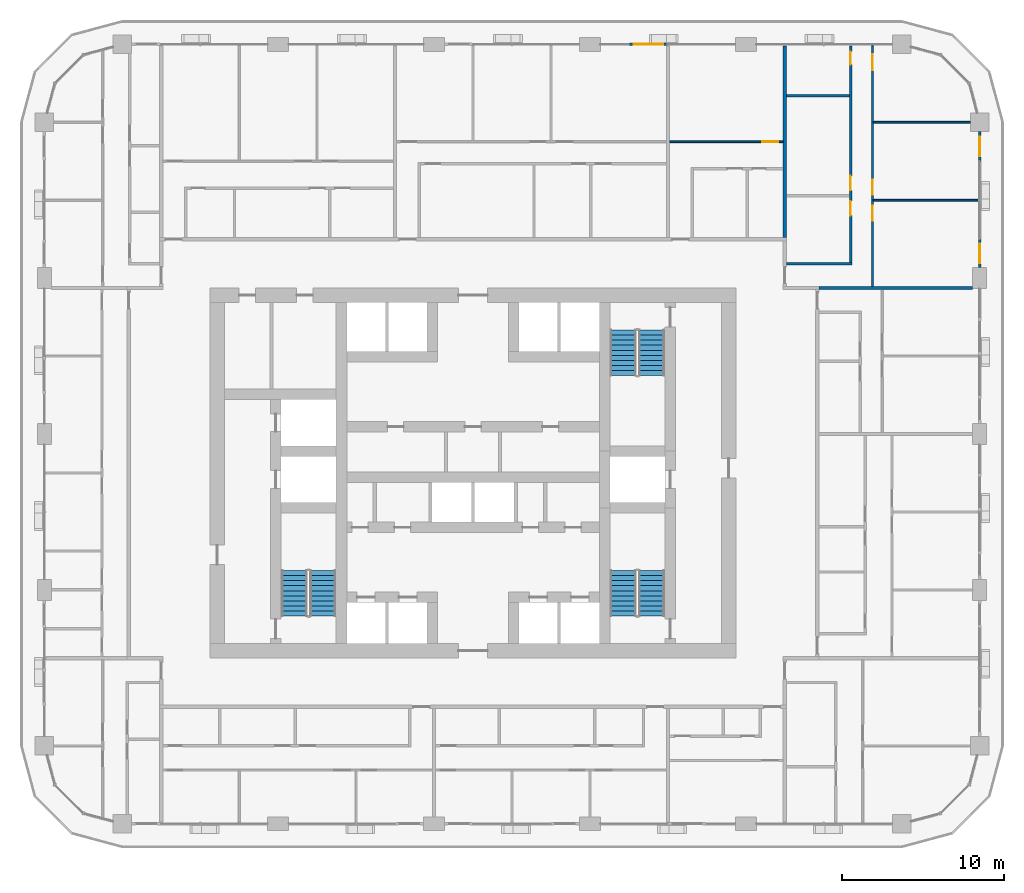
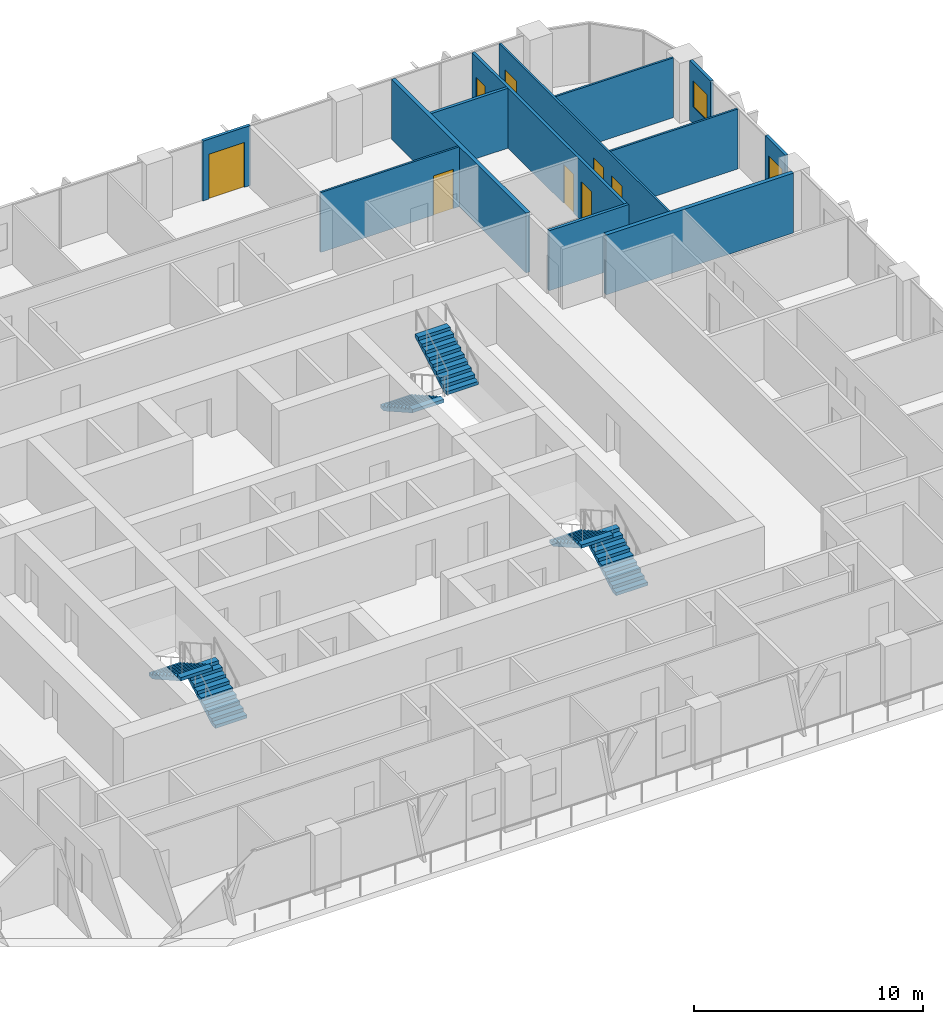
# One storey, part 15 of 21: 12 walls, 8 doors, 6 stair flights, 2 windows, 10 openings, 3 elements without a shape of their own.
"""IFC4 building model written with IfcOpenShell, lengths in metres."""

from ifc_helpers import new_model, si_unit, direction, frame, frame_2d, origin, place, context, subcontext, project, spatial, polyline, rectangle, outline, extrude, material, layer, layer_set, type_object, element, fill, aggregate, save


model = new_model("IFC4")

# Units and contexts
model_context = context("Model", 3, precision=1e-05, world=origin(), true_north=direction((0.0, 1.0)))
body_context = subcontext(model_context, "Body", "Model", "MODEL_VIEW")
ifc_project = project(units=[si_unit("LENGTHUNIT", "METRE"), si_unit("AREAUNIT", "SQUARE_METRE"), si_unit("VOLUMEUNIT", "CUBIC_METRE"), si_unit("PLANEANGLEUNIT", "RADIAN"), si_unit("MASSUNIT", "GRAM", prefix="KILO")], contexts=[model_context])

# Site, building, storey
site_placement = place(None, origin())
site = spatial("IfcSite", under=ifc_project, at=site_placement, CompositionType="ELEMENT")
building_placement = place(site_placement, origin())
building = spatial("IfcBuilding", under=site, at=building_placement, Name="Madar Terraces", CompositionType="ELEMENT")
storey_placement = place(building_placement, frame((0.0, 0.0, 89.199951171875)))
storey = spatial("IfcBuildingStorey", under=building, at=storey_placement, Name="L22", CompositionType="ELEMENT", Elevation=89.199951171875)

# Wall, opening, window
ifc_material_1 = material(Name="Aluminium composite panel, black, over insulated backing", Category="aluminium")
ifc_layer_1 = layer(ifc_material_1, 0.14990234375)
ifc_layer_set_1 = layer_set([ifc_layer_1], Name="Facade bay panel 150")
wall_type_1 = type_object("IfcWallType", Name="Facade bay panel 150", PredefinedType="SOLIDWALL", material=ifc_layer_set_1)
wall_1_placement = place(storey_placement, frame((62.39990234375, 39.050048828125, 0.0), z_axis=(0.0, 0.0, 1.0), x_axis=(0.0, 1.0, 0.0)))
wall_1 = element("IfcWall", 1, at=wall_1_placement, inside=storey, type_object=wall_type_1, Name="Facade bay panel", PredefinedType="SOLIDWALL", context=body_context, shape_type="SweptSolid", body=[
    extrude(rectangle(XDim=1.75, YDim=0.14990234375, at=frame_2d((0.875, 0.0))), origin(), (0.0, 0.0, 1.0), 3.199951171875),
])
opening_1_placement = place(wall_1_placement, frame((0.27490234375, 0.0, 0.89990234375)))
opening_1 = element("IfcOpeningElement", 2, at=opening_1_placement, cuts=wall_1, Name="Opening W1", PredefinedType="OPENING", context=body_context, shape_type="SweptSolid", body=[
    extrude(rectangle(XDim=1.199951171875, YDim=1.39990234375, at=frame_2d((0.60009765625, 0.699951171875))), frame((0.0, 0.0849609375, 0.0), z_axis=(0.0, -1.0, 0.0), x_axis=(1.0, 0.0, 0.0)), (0.0, 0.0, 1.0), 0.169921875),
])
ifc_material_2 = material(Name="Glass, clear, with black aluminium frame", Category="aluminium")
window_type = type_object("IfcWindowType", Name="Vent window 1200 x 1400", PartitioningType="SINGLE_PANEL", PredefinedType="WINDOW", material=ifc_material_2)
window_1_placement = place(opening_1_placement, origin())
window_1 = element("IfcWindow", 3, at=window_1_placement, inside=storey, type_object=window_type, Name="Operable vent window", OverallHeight=1.39990234375, OverallWidth=1.199951171875, PartitioningType="SINGLE_PANEL", PredefinedType="WINDOW", context=body_context, shape_type="SweptSolid", body=[
    extrude(rectangle(XDim=1.199951171875, YDim=1.39990234375, at=frame_2d((0.60009765625, 0.699951171875))), frame((0.0, 0.030029296875, 0.0), z_axis=(0.0, -1.0, 0.0), x_axis=(1.0, 0.0, 0.0)), (0.0, 0.0, 1.0), 0.06005859375),
])
fill(opening_1, window_1)

wall_2_placement = place(storey_placement, frame((62.39990234375, 45.60009765625, 0.0), z_axis=(0.0, 0.0, 1.0), x_axis=(0.0, 1.0, 0.0)))
wall_2 = element("IfcWall", 4, at=wall_2_placement, inside=storey, type_object=wall_type_1, Name="Facade bay panel", PredefinedType="SOLIDWALL", context=body_context, shape_type="SweptSolid", body=[
    extrude(rectangle(XDim=1.824951171875, YDim=0.14990234375, at=frame_2d((0.91259765625, 0.0))), origin(), (0.0, 0.0, 1.0), 3.199951171875),
])
opening_2_placement = place(wall_2_placement, frame((0.3125, 0.0, 0.89990234375)))
opening_2 = element("IfcOpeningElement", 5, at=opening_2_placement, cuts=wall_2, Name="Opening W1", PredefinedType="OPENING", context=body_context, shape_type="SweptSolid", body=[
    extrude(rectangle(XDim=1.199951171875, YDim=1.39990234375, at=frame_2d((0.60009765625, 0.699951171875))), frame((0.0, 0.0849609375, 0.0), z_axis=(0.0, -1.0, 0.0), x_axis=(1.0, 0.0, 0.0)), (0.0, 0.0, 1.0), 0.169921875),
])
window_2_placement = place(opening_2_placement, origin())
window_2 = element("IfcWindow", 6, at=window_2_placement, inside=storey, type_object=window_type, Name="Operable vent window", OverallHeight=1.39990234375, OverallWidth=1.199951171875, PartitioningType="SINGLE_PANEL", PredefinedType="WINDOW", context=body_context, shape_type="SweptSolid", body=[
    extrude(rectangle(XDim=1.199951171875, YDim=1.39990234375, at=frame_2d((0.60009765625, 0.699951171875))), frame((0.0, 0.030029296875, 0.0), z_axis=(0.0, -1.0, 0.0), x_axis=(1.0, 0.0, 0.0)), (0.0, 0.0, 1.0), 0.06005859375),
])
fill(opening_2, window_2)

# Wall, opening, door
wall_3_placement = place(storey_placement, frame((43.199951171875, 52.800048828125, 0.0), z_axis=(0.0, 0.0, 1.0), x_axis=(-1.0, 0.0, 0.0)))
wall_3 = element("IfcWall", 7, at=wall_3_placement, inside=storey, type_object=wall_type_1, Name="Facade bay panel", PredefinedType="SOLIDWALL", context=body_context, shape_type="SweptSolid", body=[
    extrude(rectangle(XDim=2.39990234375, YDim=0.14990234375, at=frame_2d((1.199951171875, 0.0))), origin(), (0.0, 0.0, 1.0), 3.199951171875),
])
opening_3_placement = place(wall_3_placement, frame((0.300048828125, 0.0, 0.0)))
opening_3 = element("IfcOpeningElement", 8, at=opening_3_placement, cuts=wall_3, Name="Opening ED1", PredefinedType="OPENING", context=body_context, shape_type="SweptSolid", body=[
    extrude(rectangle(XDim=1.800048828125, YDim=2.39990234375, at=frame_2d((0.89990234375, 1.199951171875))), frame((0.0, 0.0849609375, 0.0), z_axis=(0.0, -1.0, 0.0), x_axis=(1.0, 0.0, 0.0)), (0.0, 0.0, 1.0), 0.169921875),
])
ifc_material_3 = material(Name="Glass, clear, with black aluminium frame", Category="aluminium")
door_type_1 = type_object("IfcDoorType", Name="Balcony and terrace sliding door 1800 x 2400", OperationType="SLIDING_TO_LEFT", PredefinedType="DOOR", material=ifc_material_3)
door_1_placement = place(opening_3_placement, origin())
door_1 = element("IfcDoor", 9, at=door_1_placement, inside=storey, type_object=door_type_1, Name="Balcony door", OperationType="SLIDING_TO_RIGHT", OverallHeight=2.39990234375, OverallWidth=1.800048828125, PredefinedType="DOOR", context=body_context, shape_type="SweptSolid", body=[
    extrude(rectangle(XDim=1.800048828125, YDim=2.39990234375, at=frame_2d((0.89990234375, 1.199951171875))), frame((0.0, 0.02490234375, 0.0), z_axis=(0.0, -1.0, 0.0), x_axis=(1.0, 0.0, 0.0)), (0.0, 0.0, 1.0), 0.050048828125),
])
fill(opening_3, door_1)

# Walls
ifc_material_4 = material(Name="Gypsum board on steel studs", Category="steel")
ifc_layer_2 = layer(ifc_material_4, 0.10009765625)
ifc_layer_set_2 = layer_set([ifc_layer_2], Name="Flat partition 100")
wall_type_2 = type_object("IfcWallType", Name="Flat partition 100", PredefinedType="PARTITIONING", material=ifc_layer_set_2)
wall_4_placement = place(storey_placement, frame((55.85009765625, 43.199951171875, 0.0), z_axis=(0.0, 0.0, 1.0), x_axis=(1.0, 0.0, 0.0)))
element("IfcWall", 10, at=wall_4_placement, inside=storey, type_object=wall_type_2, Name="Flat partition 100", PredefinedType="PARTITIONING", context=body_context, shape_type="SweptSolid", body=[
    extrude(rectangle(XDim=6.449951171875, YDim=0.10009765625, at=frame_2d((3.22509765625, 0.0))), origin(), (0.0, 0.0, 1.0), 3.199951171875),
])
wall_5_placement = place(storey_placement, frame((55.85009765625, 48.0, 0.0), z_axis=(0.0, 0.0, 1.0), x_axis=(1.0, 0.0, 0.0)))
element("IfcWall", 11, at=wall_5_placement, inside=storey, type_object=wall_type_2, Name="Flat partition 100", PredefinedType="PARTITIONING", context=body_context, shape_type="SweptSolid", body=[
    extrude(rectangle(XDim=5.974853515625, YDim=0.10009765625, at=frame_2d((2.9873046875, 0.0))), origin(), (0.0, 0.0, 1.0), 3.199951171875),
])

# Wall, openings, doors
wall_6_placement = place(storey_placement, frame((55.800048828125, 52.699951171875, 0.0), z_axis=(0.0, 0.0, 1.0), x_axis=(0.0, -1.0, 0.0)))
wall_6 = element("IfcWall", 12, at=wall_6_placement, inside=storey, type_object=wall_type_2, Name="Flat partition 100", PredefinedType="PARTITIONING", context=body_context, shape_type="SweptSolid", body=[
    extrude(rectangle(XDim=14.800048828125, YDim=0.10009765625, at=frame_2d((7.39990234375, 0.0))), origin(), (0.0, 0.0, 1.0), 3.199951171875),
])
opening_4_placement = place(wall_6_placement, frame((9.85009765625, 0.0, 0.0)))
opening_4 = element("IfcOpeningElement", 13, at=opening_4_placement, cuts=wall_6, Name="Opening D2", PredefinedType="OPENING", context=body_context, shape_type="SweptSolid", body=[
    extrude(rectangle(XDim=0.89990234375, YDim=2.10009765625, at=frame_2d((0.449951171875, 1.050048828125))), frame((0.0, 0.06005859375, 0.0), z_axis=(0.0, -1.0, 0.0), x_axis=(1.0, 0.0, 0.0)), (0.0, 0.0, 1.0), 0.1201171875),
])
opening_5_placement = place(wall_6_placement, frame((8.25, 0.0, 0.0)))
opening_5 = element("IfcOpeningElement", 14, at=opening_5_placement, cuts=wall_6, Name="Opening D2", PredefinedType="OPENING", context=body_context, shape_type="SweptSolid", body=[
    extrude(rectangle(XDim=0.89990234375, YDim=2.10009765625, at=frame_2d((0.449951171875, 1.050048828125))), frame((0.0, 0.06005859375, 0.0), z_axis=(0.0, -1.0, 0.0), x_axis=(1.0, 0.0, 0.0)), (0.0, 0.0, 1.0), 0.1201171875),
])
opening_6_placement = place(wall_6_placement, frame((0.5, 0.0, 0.0)))
opening_6 = element("IfcOpeningElement", 15, at=opening_6_placement, cuts=wall_6, Name="Opening D3", PredefinedType="OPENING", context=body_context, shape_type="SweptSolid", body=[
    extrude(rectangle(XDim=1.0, YDim=2.10009765625, at=frame_2d((0.5, 1.050048828125))), frame((0.0, 0.06005859375, 0.0), z_axis=(0.0, -1.0, 0.0), x_axis=(1.0, 0.0, 0.0)), (0.0, 0.0, 1.0), 0.1201171875),
])
ifc_material_5 = material(Name="Timber door leaf", Category="wood")
door_type_2 = type_object("IfcDoorType", Name="Flat living room door 1000", OperationType="NOTDEFINED", PredefinedType="DOOR", material=ifc_material_5)
door_2_placement = place(opening_6_placement, origin())
door_2 = element("IfcDoor", 16, at=door_2_placement, inside=storey, type_object=door_type_2, Name="Flat living room door 1000", OperationType="SINGLE_SWING_LEFT", OverallHeight=2.10009765625, OverallWidth=1.0, PredefinedType="DOOR", context=body_context, shape_type="SweptSolid", body=[
    extrude(rectangle(XDim=1.0, YDim=2.10009765625, at=frame_2d((0.5, 1.050048828125))), frame((0.0, 0.02490234375, 0.0), z_axis=(0.0, -1.0, 0.0), x_axis=(1.0, 0.0, 0.0)), (0.0, 0.0, 1.0), 0.050048828125),
])
fill(opening_6, door_2)
ifc_material_6 = material(Name="Timber door leaf", Category="wood")
door_type_3 = type_object("IfcDoorType", Name="Flat room door 900", OperationType="NOTDEFINED", PredefinedType="DOOR", material=ifc_material_6)
door_3_placement = place(opening_4_placement, origin())
door_3 = element("IfcDoor", 17, at=door_3_placement, inside=storey, type_object=door_type_3, Name="Flat room door 900", OperationType="SINGLE_SWING_LEFT", OverallHeight=2.10009765625, OverallWidth=0.89990234375, PredefinedType="DOOR", context=body_context, shape_type="SweptSolid", body=[
    extrude(rectangle(XDim=0.89990234375, YDim=2.10009765625, at=frame_2d((0.449951171875, 1.050048828125))), frame((0.0, 0.02490234375, 0.0), z_axis=(0.0, -1.0, 0.0), x_axis=(1.0, 0.0, 0.0)), (0.0, 0.0, 1.0), 0.050048828125),
])
fill(opening_4, door_3)
door_4_placement = place(opening_5_placement, origin())
door_4 = element("IfcDoor", 18, at=door_4_placement, inside=storey, type_object=door_type_3, Name="Flat room door 900", OperationType="SINGLE_SWING_RIGHT", OverallHeight=2.10009765625, OverallWidth=0.89990234375, PredefinedType="DOOR", context=body_context, shape_type="SweptSolid", body=[
    extrude(rectangle(XDim=0.89990234375, YDim=2.10009765625, at=frame_2d((0.449951171875, 1.050048828125))), frame((0.0, 0.02490234375, 0.0), z_axis=(0.0, -1.0, 0.0), x_axis=(1.0, 0.0, 0.0)), (0.0, 0.0, 1.0), 0.050048828125),
])
fill(opening_5, door_4)

# Wall, opening, door
wall_7_placement = place(storey_placement, frame((43.300048828125, 46.800048828125, 0.0), z_axis=(0.0, 0.0, 1.0), x_axis=(1.0, 0.0, 0.0)))
wall_7 = element("IfcWall", 19, at=wall_7_placement, inside=storey, type_object=wall_type_2, Name="Flat partition 100", PredefinedType="PARTITIONING", context=body_context, shape_type="SweptSolid", body=[
    extrude(rectangle(XDim=7.0, YDim=0.10009765625, at=frame_2d((3.5, 0.0))), origin(), (0.0, 0.0, 1.0), 3.199951171875),
])
opening_7_placement = place(wall_7_placement, frame((5.699951171875, 0.0, 0.0)))
opening_7 = element("IfcOpeningElement", 20, at=opening_7_placement, cuts=wall_7, Name="Opening D3", PredefinedType="OPENING", context=body_context, shape_type="SweptSolid", body=[
    extrude(rectangle(XDim=1.0, YDim=2.10009765625, at=frame_2d((0.5, 1.050048828125))), frame((0.0, 0.06005859375, 0.0), z_axis=(0.0, -1.0, 0.0), x_axis=(1.0, 0.0, 0.0)), (0.0, 0.0, 1.0), 0.1201171875),
])
door_5_placement = place(opening_7_placement, origin())
door_5 = element("IfcDoor", 21, at=door_5_placement, inside=storey, type_object=door_type_2, Name="Flat living room door 1000", OperationType="SINGLE_SWING_RIGHT", OverallHeight=2.10009765625, OverallWidth=1.0, PredefinedType="DOOR", context=body_context, shape_type="SweptSolid", body=[
    extrude(rectangle(XDim=1.0, YDim=2.10009765625, at=frame_2d((0.5, 1.050048828125))), frame((0.0, 0.02490234375, 0.0), z_axis=(0.0, -1.0, 0.0), x_axis=(1.0, 0.0, 0.0)), (0.0, 0.0, 1.0), 0.050048828125),
])
fill(opening_7, door_5)

# Walls
ifc_material_7 = material(Name="Lightweight blockwork", Category="masonry")
ifc_layer_3 = layer(ifc_material_7, 0.199951171875)
ifc_layer_set_3 = layer_set([ifc_layer_3], Name="Flat party and entrance wall 200")
wall_type_3 = type_object("IfcWallType", Name="Flat party and entrance wall 200", PredefinedType="PARTITIONING", material=ifc_layer_set_3)
wall_8_placement = place(storey_placement, frame((52.5, 37.800048828125, 0.0), z_axis=(0.0, 0.0, 1.0), x_axis=(1.0, 0.0, 0.0)))
element("IfcWall", 22, at=wall_8_placement, inside=storey, type_object=wall_type_3, Name="Flat party and entrance wall 200", PredefinedType="PARTITIONING", context=body_context, shape_type="SweptSolid", body=[
    extrude(rectangle(XDim=9.47509765625, YDim=0.199951171875, at=frame_2d((4.737548828125, 0.0))), origin(), (0.0, 0.0, 1.0), 3.199951171875),
])
wall_9_placement = place(storey_placement, frame((50.39990234375, 40.89990234375, 0.0), z_axis=(0.0, 0.0, 1.0), x_axis=(0.0, 1.0, 0.0)))
element("IfcWall", 23, at=wall_9_placement, inside=storey, type_object=wall_type_3, Name="Flat party and entrance wall 200", PredefinedType="PARTITIONING", context=body_context, shape_type="SweptSolid", body=[
    extrude(rectangle(XDim=11.800048828125, YDim=0.199951171875, at=frame_2d((5.89990234375, 0.0))), origin(), (0.0, 0.0, 1.0), 3.199951171875),
])
ifc_material_8 = material(Name="Lightweight blockwork", Category="masonry")
ifc_layer_4 = layer(ifc_material_8, 0.14990234375)
ifc_layer_set_4 = layer_set([ifc_layer_4], Name="Flat wet-room partition 150")
wall_type_4 = type_object("IfcWallType", Name="Flat wet-room partition 150", PredefinedType="PARTITIONING", material=ifc_layer_set_4)
wall_10_placement = place(storey_placement, frame((50.5, 49.625, 0.0), z_axis=(0.0, 0.0, 1.0), x_axis=(1.0, 0.0, 0.0)))
element("IfcWall", 24, at=wall_10_placement, inside=storey, type_object=wall_type_4, Name="Flat wet-room partition 150", PredefinedType="PARTITIONING", context=body_context, shape_type="SweptSolid", body=[
    extrude(rectangle(XDim=3.875, YDim=0.14990234375, at=frame_2d((1.9375, 0.0))), origin(), (0.0, 0.0, 1.0), 3.199951171875),
])
wall_11_placement = place(storey_placement, frame((50.5, 39.300048828125, 0.0), z_axis=(0.0, 0.0, 1.0), x_axis=(1.0, 0.0, 0.0)))
element("IfcWall", 25, at=wall_11_placement, inside=storey, type_object=wall_type_4, Name="Flat wet-room partition 150", PredefinedType="PARTITIONING", context=body_context, shape_type="SweptSolid", body=[
    extrude(rectangle(XDim=4.02490234375, YDim=0.14990234375, at=frame_2d((2.012451171875, 0.0))), origin(), (0.0, 0.0, 1.0), 3.199951171875),
])

# Wall, openings, doors
wall_12_placement = place(storey_placement, frame((54.449951171875, 39.375, 0.0), z_axis=(0.0, 0.0, 1.0), x_axis=(0.0, 1.0, 0.0)))
wall_12 = element("IfcWall", 26, at=wall_12_placement, inside=storey, type_object=wall_type_4, Name="Flat wet-room partition 150", PredefinedType="PARTITIONING", context=body_context, shape_type="SweptSolid", body=[
    extrude(rectangle(XDim=13.324951171875, YDim=0.14990234375, at=frame_2d((6.66259765625, 0.0))), origin(), (0.0, 0.0, 1.0), 3.199951171875),
])
opening_8_placement = place(wall_12_placement, frame((2.875, 0.0, 0.0)))
opening_8 = element("IfcOpeningElement", 27, at=opening_8_placement, cuts=wall_12, Name="Opening D5", PredefinedType="OPENING", context=body_context, shape_type="SweptSolid", body=[
    extrude(rectangle(XDim=0.89990234375, YDim=2.10009765625, at=frame_2d((0.449951171875, 1.050048828125))), frame((0.0, 0.0849609375, 0.0), z_axis=(0.0, -1.0, 0.0), x_axis=(1.0, 0.0, 0.0)), (0.0, 0.0, 1.0), 0.169921875),
])
opening_9_placement = place(wall_12_placement, frame((4.425048828125, 0.0, 0.0)))
opening_9 = element("IfcOpeningElement", 28, at=opening_9_placement, cuts=wall_12, Name="Opening D2", PredefinedType="OPENING", context=body_context, shape_type="SweptSolid", body=[
    extrude(rectangle(XDim=0.89990234375, YDim=2.10009765625, at=frame_2d((0.449951171875, 1.050048828125))), frame((0.0, 0.0849609375, 0.0), z_axis=(0.0, -1.0, 0.0), x_axis=(1.0, 0.0, 0.0)), (0.0, 0.0, 1.0), 0.169921875),
])
opening_10_placement = place(wall_12_placement, frame((12.175048828125, 0.0, 0.0)))
opening_10 = element("IfcOpeningElement", 29, at=opening_10_placement, cuts=wall_12, Name="Opening D4", PredefinedType="OPENING", context=body_context, shape_type="SweptSolid", body=[
    extrude(rectangle(XDim=0.800048828125, YDim=2.10009765625, at=frame_2d((0.39990234375, 1.050048828125))), frame((0.0, 0.0849609375, 0.0), z_axis=(0.0, -1.0, 0.0), x_axis=(1.0, 0.0, 0.0)), (0.0, 0.0, 1.0), 0.169921875),
])
ifc_material_9 = material(Name="Timber door leaf", Category="wood")
door_type_4 = type_object("IfcDoorType", Name="Flat accessible bathroom door 900", OperationType="NOTDEFINED", PredefinedType="DOOR", material=ifc_material_9)
door_6_placement = place(opening_8_placement, origin())
door_6 = element("IfcDoor", 30, at=door_6_placement, inside=storey, type_object=door_type_4, Name="Flat accessible bathroom door 900", OperationType="SINGLE_SWING_RIGHT", OverallHeight=2.10009765625, OverallWidth=0.89990234375, PredefinedType="DOOR", context=body_context, shape_type="SweptSolid", body=[
    extrude(rectangle(XDim=0.89990234375, YDim=2.10009765625, at=frame_2d((0.449951171875, 1.050048828125))), frame((0.0, 0.02490234375, 0.0), z_axis=(0.0, -1.0, 0.0), x_axis=(1.0, 0.0, 0.0)), (0.0, 0.0, 1.0), 0.050048828125),
])
fill(opening_8, door_6)
ifc_material_10 = material(Name="Timber door leaf", Category="wood")
door_type_5 = type_object("IfcDoorType", Name="Flat bathroom door 800", OperationType="NOTDEFINED", PredefinedType="DOOR", material=ifc_material_10)
door_7_placement = place(opening_10_placement, origin())
door_7 = element("IfcDoor", 31, at=door_7_placement, inside=storey, type_object=door_type_5, Name="Flat bathroom door 800", OperationType="SINGLE_SWING_RIGHT", OverallHeight=2.10009765625, OverallWidth=0.800048828125, PredefinedType="DOOR", context=body_context, shape_type="SweptSolid", body=[
    extrude(rectangle(XDim=0.800048828125, YDim=2.10009765625, at=frame_2d((0.39990234375, 1.050048828125))), frame((0.0, 0.02490234375, 0.0), z_axis=(0.0, -1.0, 0.0), x_axis=(1.0, 0.0, 0.0)), (0.0, 0.0, 1.0), 0.050048828125),
])
fill(opening_10, door_7)
door_8_placement = place(opening_9_placement, origin())
door_8 = element("IfcDoor", 32, at=door_8_placement, inside=storey, type_object=door_type_3, Name="Flat room door 900", OperationType="SINGLE_SWING_LEFT", OverallHeight=2.10009765625, OverallWidth=0.89990234375, PredefinedType="DOOR", context=body_context, shape_type="SweptSolid", body=[
    extrude(rectangle(XDim=0.89990234375, YDim=2.10009765625, at=frame_2d((0.449951171875, 1.050048828125))), frame((0.0, 0.02490234375, 0.0), z_axis=(0.0, -1.0, 0.0), x_axis=(1.0, 0.0, 0.0)), (0.0, 0.0, 1.0), 0.050048828125),
])
fill(opening_9, door_8)

# Stair, stair flights
ifc_material_11 = material(Name="Concrete C50/60", Category="concrete")
stair_type_1 = type_object("IfcStairType", Name="Stair ST1 protected exit", PredefinedType="HALF_TURN_STAIR", material=ifc_material_11)
stair_1_placement = place(storey_placement, origin())
stair_1 = element("IfcStair", 33, at=stair_1_placement, inside=storey, type_object=stair_type_1, Name="L22 Protected Exit Stair ST1", PredefinedType="HALF_TURN_STAIR")
ifc_material_12 = material(Name="Concrete C50/60", Category="concrete")
stair_flight_type_1 = type_object("IfcStairFlightType", Name="Stair flight ST1-F4, 1600 wide, 10 risers", PredefinedType="STRAIGHT", material=ifc_material_12)
stair_flight_1_placement = place(storey_placement, frame((21.949951171875, 17.60009765625, 0.0), z_axis=(0.0, 0.0, 1.0), x_axis=(0.0, 1.0, 0.0)))
stair_flight_1 = element("IfcStairFlight", 34, at=stair_flight_1_placement, type_object=stair_flight_type_1, Name="ST1 flight 1", NumberOfRisers=10, NumberOfTreads=9, PredefinedType="STRAIGHT", RiserHeight=0.175, TreadLength=0.31, context=body_context, shape_type="SweptSolid", body=[
    extrude(outline(polyline([(0.0, 0.0), (0.0, 0.175048828125), (0.31005859375, 0.175048828125), (0.31005859375, 0.35009765625), (0.6201171875, 0.35009765625), (0.6201171875, 0.52490234375), (0.929931640625, 0.52490234375), (0.929931640625, 0.699951171875), (1.239990234375, 0.699951171875), (1.239990234375, 0.875), (1.550048828125, 0.875), (1.550048828125, 1.050048828125), (1.860107421875, 1.050048828125), (1.860107421875, 1.22509765625), (2.169921875, 1.22509765625), (2.169921875, 1.39990234375), (2.47998046875, 1.39990234375), (2.47998046875, 1.574951171875), (2.7900390625, 1.574951171875), (2.7900390625, 1.75), (2.7900390625, 1.40283203125), (0.304931640625, 0.0), (0.0, 0.0)])), frame((0.0, 0.800048828125, 0.0), z_axis=(0.0, -1.0, 0.0), x_axis=(1.0, 0.0, 0.0)), (0.0, 0.0, 1.0), 1.60009765625),
])
stair_flight_2_placement = place(storey_placement, frame((20.199951171875, 20.389892578125, 1.75), z_axis=(0.0, 0.0, 1.0), x_axis=(0.0, -1.0, 0.0)))
stair_flight_2 = element("IfcStairFlight", 35, at=stair_flight_2_placement, type_object=stair_flight_type_1, Name="ST1 flight 2", NumberOfRisers=10, NumberOfTreads=9, PredefinedType="STRAIGHT", RiserHeight=0.175, TreadLength=0.31, context=body_context, shape_type="SweptSolid", body=[
    extrude(outline(polyline([(0.0, 0.0), (0.0, 0.175048828125), (0.31005859375, 0.175048828125), (0.31005859375, 0.35009765625), (0.6201171875, 0.35009765625), (0.6201171875, 0.52490234375), (0.929931640625, 0.52490234375), (0.929931640625, 0.699951171875), (1.239990234375, 0.699951171875), (1.239990234375, 0.875), (1.550048828125, 0.875), (1.550048828125, 1.050048828125), (1.860107421875, 1.050048828125), (1.860107421875, 1.22509765625), (2.169921875, 1.22509765625), (2.169921875, 1.39990234375), (2.47998046875, 1.39990234375), (2.47998046875, 1.574951171875), (2.7900390625, 1.574951171875), (2.7900390625, 1.75), (2.7900390625, 1.40283203125), (0.304931640625, 0.0), (0.0, 0.0)])), frame((0.0, 0.800048828125, 0.0), z_axis=(0.0, -1.0, 0.0), x_axis=(1.0, 0.0, 0.0)), (0.0, 0.0, 1.0), 1.60009765625),
])
aggregate(stair_1, [stair_flight_1, stair_flight_2])

ifc_material_13 = material(Name="Concrete C50/60", Category="concrete")
stair_type_2 = type_object("IfcStairType", Name="Stair ST2 protected exit", PredefinedType="HALF_TURN_STAIR", material=ifc_material_13)
stair_2_placement = place(storey_placement, origin())
stair_2 = element("IfcStair", 36, at=stair_2_placement, inside=storey, type_object=stair_type_2, Name="L22 Protected Exit Stair ST2", PredefinedType="HALF_TURN_STAIR")
ifc_material_14 = material(Name="Concrete C50/60", Category="concrete")
stair_flight_type_2 = type_object("IfcStairFlightType", Name="Stair flight ST2-F4, 1600 wide, 10 risers", PredefinedType="STRAIGHT", material=ifc_material_14)
stair_flight_3_placement = place(storey_placement, frame((40.449951171875, 35.199951171875, 0.0), z_axis=(0.0, 0.0, 1.0), x_axis=(0.0, -1.0, 0.0)))
stair_flight_3 = element("IfcStairFlight", 37, at=stair_flight_3_placement, type_object=stair_flight_type_2, Name="ST2 flight 1", NumberOfRisers=10, NumberOfTreads=9, PredefinedType="STRAIGHT", RiserHeight=0.175, TreadLength=0.31, context=body_context, shape_type="SweptSolid", body=[
    extrude(outline(polyline([(0.0, 0.0), (0.0, 0.175048828125), (0.31005859375, 0.175048828125), (0.31005859375, 0.35009765625), (0.6201171875, 0.35009765625), (0.6201171875, 0.52490234375), (0.929931640625, 0.52490234375), (0.929931640625, 0.699951171875), (1.239990234375, 0.699951171875), (1.239990234375, 0.875), (1.550048828125, 0.875), (1.550048828125, 1.050048828125), (1.860107421875, 1.050048828125), (1.860107421875, 1.22509765625), (2.169921875, 1.22509765625), (2.169921875, 1.39990234375), (2.47998046875, 1.39990234375), (2.47998046875, 1.574951171875), (2.7900390625, 1.574951171875), (2.7900390625, 1.75), (2.7900390625, 1.40283203125), (0.304931640625, 0.0), (0.0, 0.0)])), frame((0.0, 0.800048828125, 0.0), z_axis=(0.0, -1.0, 0.0), x_axis=(1.0, 0.0, 0.0)), (0.0, 0.0, 1.0), 1.60009765625),
])
stair_flight_4_placement = place(storey_placement, frame((42.199951171875, 32.409912109375, 1.75), z_axis=(0.0, 0.0, 1.0), x_axis=(0.0, 1.0, 0.0)))
stair_flight_4 = element("IfcStairFlight", 38, at=stair_flight_4_placement, type_object=stair_flight_type_2, Name="ST2 flight 2", NumberOfRisers=10, NumberOfTreads=9, PredefinedType="STRAIGHT", RiserHeight=0.175, TreadLength=0.31, context=body_context, shape_type="SweptSolid", body=[
    extrude(outline(polyline([(0.0, 0.0), (0.0, 0.175048828125), (0.31005859375, 0.175048828125), (0.31005859375, 0.35009765625), (0.6201171875, 0.35009765625), (0.6201171875, 0.52490234375), (0.929931640625, 0.52490234375), (0.929931640625, 0.699951171875), (1.239990234375, 0.699951171875), (1.239990234375, 0.875), (1.550048828125, 0.875), (1.550048828125, 1.050048828125), (1.860107421875, 1.050048828125), (1.860107421875, 1.22509765625), (2.169921875, 1.22509765625), (2.169921875, 1.39990234375), (2.47998046875, 1.39990234375), (2.47998046875, 1.574951171875), (2.7900390625, 1.574951171875), (2.7900390625, 1.75), (2.7900390625, 1.40283203125), (0.304931640625, 0.0), (0.0, 0.0)])), frame((0.0, 0.800048828125, 0.0), z_axis=(0.0, -1.0, 0.0), x_axis=(1.0, 0.0, 0.0)), (0.0, 0.0, 1.0), 1.60009765625),
])
aggregate(stair_2, [stair_flight_3, stair_flight_4])

ifc_material_15 = material(Name="Concrete C50/60", Category="concrete")
stair_type_3 = type_object("IfcStairType", Name="Stair ST3 protected exit", PredefinedType="HALF_TURN_STAIR", material=ifc_material_15)
stair_3_placement = place(storey_placement, origin())
stair_3 = element("IfcStair", 39, at=stair_3_placement, inside=storey, type_object=stair_type_3, Name="L22 Protected Exit Stair ST3", PredefinedType="HALF_TURN_STAIR")
ifc_material_16 = material(Name="Concrete C50/60", Category="concrete")
stair_flight_type_3 = type_object("IfcStairFlightType", Name="Stair flight ST3-F4, 1600 wide, 10 risers", PredefinedType="STRAIGHT", material=ifc_material_16)
stair_flight_5_placement = place(storey_placement, frame((42.199951171875, 17.60009765625, 0.0), z_axis=(0.0, 0.0, 1.0), x_axis=(0.0, 1.0, 0.0)))
stair_flight_5 = element("IfcStairFlight", 40, at=stair_flight_5_placement, type_object=stair_flight_type_3, Name="ST3 flight 1", NumberOfRisers=10, NumberOfTreads=9, PredefinedType="STRAIGHT", RiserHeight=0.175, TreadLength=0.31, context=body_context, shape_type="SweptSolid", body=[
    extrude(outline(polyline([(0.0, 0.0), (0.0, 0.175048828125), (0.31005859375, 0.175048828125), (0.31005859375, 0.35009765625), (0.6201171875, 0.35009765625), (0.6201171875, 0.52490234375), (0.929931640625, 0.52490234375), (0.929931640625, 0.699951171875), (1.239990234375, 0.699951171875), (1.239990234375, 0.875), (1.550048828125, 0.875), (1.550048828125, 1.050048828125), (1.860107421875, 1.050048828125), (1.860107421875, 1.22509765625), (2.169921875, 1.22509765625), (2.169921875, 1.39990234375), (2.47998046875, 1.39990234375), (2.47998046875, 1.574951171875), (2.7900390625, 1.574951171875), (2.7900390625, 1.75), (2.7900390625, 1.40283203125), (0.304931640625, 0.0), (0.0, 0.0)])), frame((0.0, 0.800048828125, 0.0), z_axis=(0.0, -1.0, 0.0), x_axis=(1.0, 0.0, 0.0)), (0.0, 0.0, 1.0), 1.60009765625),
])
stair_flight_6_placement = place(storey_placement, frame((40.449951171875, 20.389892578125, 1.75), z_axis=(0.0, 0.0, 1.0), x_axis=(0.0, -1.0, 0.0)))
stair_flight_6 = element("IfcStairFlight", 41, at=stair_flight_6_placement, type_object=stair_flight_type_3, Name="ST3 flight 2", NumberOfRisers=10, NumberOfTreads=9, PredefinedType="STRAIGHT", RiserHeight=0.175, TreadLength=0.31, context=body_context, shape_type="SweptSolid", body=[
    extrude(outline(polyline([(0.0, 0.0), (0.0, 0.175048828125), (0.31005859375, 0.175048828125), (0.31005859375, 0.35009765625), (0.6201171875, 0.35009765625), (0.6201171875, 0.52490234375), (0.929931640625, 0.52490234375), (0.929931640625, 0.699951171875), (1.239990234375, 0.699951171875), (1.239990234375, 0.875), (1.550048828125, 0.875), (1.550048828125, 1.050048828125), (1.860107421875, 1.050048828125), (1.860107421875, 1.22509765625), (2.169921875, 1.22509765625), (2.169921875, 1.39990234375), (2.47998046875, 1.39990234375), (2.47998046875, 1.574951171875), (2.7900390625, 1.574951171875), (2.7900390625, 1.75), (2.7900390625, 1.40283203125), (0.304931640625, 0.0), (0.0, 0.0)])), frame((0.0, 0.800048828125, 0.0), z_axis=(0.0, -1.0, 0.0), x_axis=(1.0, 0.0, 0.0)), (0.0, 0.0, 1.0), 1.60009765625),
])
aggregate(stair_3, [stair_flight_5, stair_flight_6])

save(model, "model.ifc")
